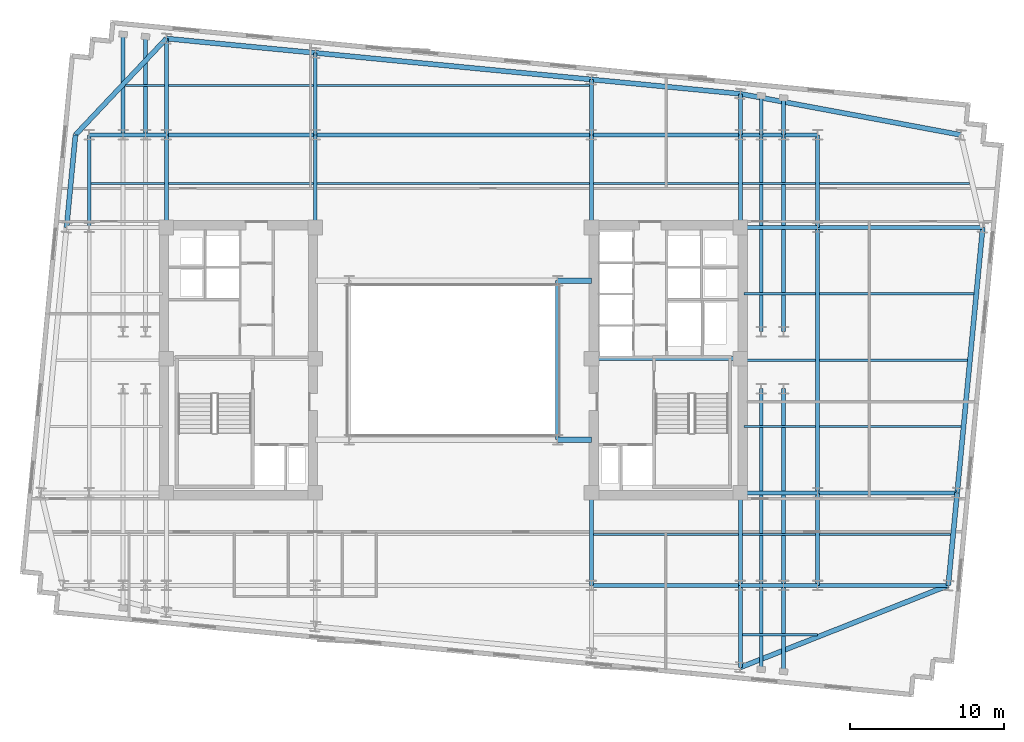
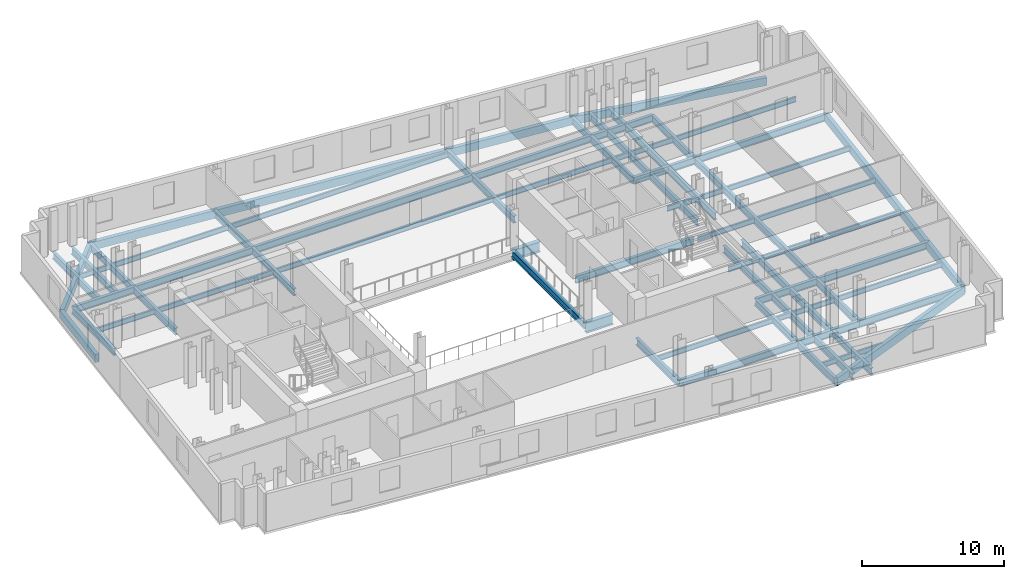
# One storey, part 2 of 9: 69 beams.
"""IFC4 building model written with IfcOpenShell, lengths in metres."""

import ifcopenshell
import ifcopenshell.guid

model = None  # the IFC model being written
_history = None  # IfcOwnerHistory: only IFC2X3 demands one
_inside = {}  # id of a spatial element -> (the spatial element, [elements in it])
_under = {}  # id of a project, library or spatial element -> (it, [spatial elements below it])
_declared = {}  # id of a project -> (the project, [libraries it declares])
_typed = {}  # id of a type object -> (the type object, [elements of that type])
_made_of = {}  # id of a material, layer set ... -> (it, [elements and type objects made of it])


def new_model(schema):
    """Start an empty IFC model of exactly this schema.

    Asked for "IFC4X3", IfcOpenShell would pick the latest addendum, in which some entities
    have other attributes; the version numbers below select the first issue.
    IFC2X3 requires an IfcOwnerHistory on every rooted entity: one is made here for all.
    """
    global model, _history
    if schema == "IFC4X3":
        model = ifcopenshell.file(schema_version=(4, 3, 0, 0))
    else:
        model = ifcopenshell.file(schema=schema)
    _inside.clear()
    _under.clear()
    _declared.clear()
    _typed.clear()
    _made_of.clear()
    _history = None
    if model.schema == "IFC2X3":
        org = make("IfcOrganization", Name="unknown")
        user = make(
            "IfcPersonAndOrganization",
            ThePerson=make("IfcPerson", FamilyName="unknown"),
            TheOrganization=org,
        )
        app = make(
            "IfcApplication",
            ApplicationDeveloper=org,
            Version="unknown",
            ApplicationFullName="unknown",
            ApplicationIdentifier="unknown",
        )
        _history = make(
            "IfcOwnerHistory",
            OwningUser=user,
            OwningApplication=app,
            ChangeAction="ADDED",
            CreationDate=0,
        )
    return model


def make(cls, **values):
    """One entity of the class cls with the attributes given. An attribute that is None is left unset."""
    return model.create_entity(
        cls, **{name: value for name, value in values.items() if value is not None}
    )


def rooted(cls, **values):
    """An entity with a GlobalId (a new one), such as an element, a storey or a relation."""
    return make(cls, GlobalId=ifcopenshell.guid.new(), OwnerHistory=_history, **values)


def si_unit(unit_type, name, prefix=None):
    """IfcSIUnit, for example si_unit("LENGTHUNIT", "METRE", prefix="MILLI")."""
    return make("IfcSIUnit", UnitType=unit_type, Prefix=prefix, Name=name)


def assignment(units):
    """IfcUnitAssignment: the units of a project."""
    return None if units is None else make("IfcUnitAssignment", Units=units)


def point(xyz):
    """IfcCartesianPoint."""
    return None if xyz is None else make("IfcCartesianPoint", Coordinates=xyz)


def direction(xyz):
    """IfcDirection."""
    return None if xyz is None else make("IfcDirection", DirectionRatios=xyz)


def frame(location, z_axis=None, x_axis=None):
    """IfcAxis2Placement3D, a coordinate frame: its origin and axes. An axis left out is left unset."""
    return make(
        "IfcAxis2Placement3D",
        Location=point(location),
        Axis=direction(z_axis),
        RefDirection=direction(x_axis),
    )


def frame_2d(location, x_axis=None):
    """IfcAxis2Placement2D, a coordinate frame in the plane: its origin and x axis."""
    return make(
        "IfcAxis2Placement2D", Location=point(location), RefDirection=direction(x_axis)
    )


def origin():
    """The frame at (0, 0, 0) with its axes left unset."""
    return frame((0.0, 0.0, 0.0))


def origin_2d():
    """The frame at (0, 0) in the plane with its x axis left unset."""
    return frame_2d((0.0, 0.0))


def place(relative_to, where):
    """IfcLocalPlacement: puts the frame where relative to a parent placement (None: the world)."""
    return make(
        "IfcLocalPlacement", PlacementRelTo=relative_to, RelativePlacement=where
    )


def context(
    kind, dimensions, precision=None, world=None, true_north=None, identifier=None
):
    """IfcGeometricRepresentationContext, for example the 3D "Model" context."""
    return make(
        "IfcGeometricRepresentationContext",
        ContextIdentifier=identifier,
        ContextType=kind,
        CoordinateSpaceDimension=dimensions,
        Precision=precision,
        WorldCoordinateSystem=world,
        TrueNorth=true_north,
    )


def subcontext(parent, identifier, kind, view, scale=None):
    """IfcGeometricRepresentationSubContext, for example "Body" below "Model"."""
    return make(
        "IfcGeometricRepresentationSubContext",
        ContextIdentifier=identifier,
        ContextType=kind,
        ParentContext=parent,
        TargetScale=scale,
        TargetView=view,
    )


def project(units=None, contexts=None):
    """IfcProject with its units and contexts."""
    return rooted(
        "IfcProject",
        Name="project",
        RepresentationContexts=contexts,
        UnitsInContext=assignment(units),
    )


def spatial(cls, under=None, at=None, **own):
    """A site, building, storey or space (cls), placed at a placement, below another one or the project."""
    s = rooted(cls, ObjectPlacement=at, **own)
    if under is not None:
        _under.setdefault(under.id(), (under, []))[1].append(s)
    return s


def profile(cls, at=None, kind="AREA", **sizes):
    """A parametric profile (cls). Its sizes go by their IFC names, for example OverallWidth=200.0."""
    return make(cls, ProfileType=kind, Position=at, **sizes)


def rectangle(**sizes):
    """IfcRectangleProfileDef."""
    return profile("IfcRectangleProfileDef", **sizes)


def i_section(**sizes):
    """IfcIShapeProfileDef."""
    return profile("IfcIShapeProfileDef", **sizes)


def extrude(swept, where, along, depth):
    """IfcExtrudedAreaSolid: the profile swept, set in the frame where, extruded along a direction by depth."""
    return make(
        "IfcExtrudedAreaSolid",
        SweptArea=swept,
        Position=where,
        ExtrudedDirection=direction(along),
        Depth=depth,
    )


def shape(context_of_items, identifier, shape_type, items):
    """IfcShapeRepresentation: the items that make up one representation, for example the "Body"."""
    return make(
        "IfcShapeRepresentation",
        ContextOfItems=context_of_items,
        RepresentationIdentifier=identifier,
        RepresentationType=shape_type,
        Items=items,
    )


def material(Name=None, Category=None):
    """IfcMaterial."""
    return make("IfcMaterial", Name=Name, Category=Category)


def material_profile(
    of_material, cross_section, Name=None, Category=None, Priority=None
):
    """IfcMaterialProfile: a cross section and its material."""
    return make(
        "IfcMaterialProfile",
        Name=Name,
        Material=of_material,
        Profile=cross_section,
        Priority=Priority,
        Category=Category,
    )


def profile_set(profiles, Name=None, composite=None):
    """IfcMaterialProfileSet."""
    return make(
        "IfcMaterialProfileSet",
        Name=Name,
        MaterialProfiles=profiles,
        CompositeProfile=composite,
    )


def made_of(thing, what):
    """Note that an element or type object is made of a material, layer set ...; save() writes the relation."""
    if what is not None:
        _made_of.setdefault(what.id(), (what, []))[1].append(thing)
    return thing


def type_object(cls, material=None, **own):
    """A type object (cls), such as IfcWallType, which elements share."""
    return made_of(rooted(cls, **own), material)


def element(
    cls,
    number,
    at=None,
    inside=None,
    cuts=None,
    type_object=None,
    material=None,
    context=None,
    identifier="Body",
    shape_type=None,
    held_by="IfcProductDefinitionShape",
    body=None,
    shapes=None,
    **own,
):
    """One element of the class cls, such as IfcWall. Its Tag is "e" and its number.

    at: its placement. inside: the storey or other place that contains it. cuts: it is an
    opening in that element (IfcRelVoidsElement). A single representation is given by context,
    identifier, shape_type and body (its items); several are given by shapes. held_by: the class
    of the entity that holds the representations. save() writes the other relations.
    """
    e = rooted(cls, Tag="e%d" % number, ObjectPlacement=at, **own)
    if body is not None:
        shapes = [shape(context, identifier, shape_type, body)]
    if shapes is not None:
        e.Representation = make(held_by, Representations=shapes)
    if inside is not None:
        _inside.setdefault(inside.id(), (inside, []))[1].append(e)
    if cuts is not None:
        rooted(
            "IfcRelVoidsElement", RelatingBuildingElement=cuts, RelatedOpeningElement=e
        )
    if type_object is not None:
        _typed.setdefault(type_object.id(), (type_object, []))[1].append(e)
    return made_of(e, material)


def aggregate(whole, parts):
    """IfcRelAggregates: a whole, such as a stair, and the parts it consists of."""
    return rooted("IfcRelAggregates", RelatingObject=whole, RelatedObjects=parts)


def save(model, path):
    """Write the relations noted so far, then the file.

    IfcRelAggregates (storeys below a building ...), IfcRelContainedInSpatialStructure (elements
    in a storey), IfcRelDefinesByType, IfcRelAssociatesMaterial and IfcRelDeclares: one each for
    every whole, place, type object, material and project.
    """
    for whole, parts in _under.values():
        aggregate(whole, parts)
    for where, things in _inside.values():
        rooted(
            "IfcRelContainedInSpatialStructure",
            RelatedElements=things,
            RelatingStructure=where,
        )
    for kind, things in _typed.values():
        rooted("IfcRelDefinesByType", RelatedObjects=things, RelatingType=kind)
    for what, things in _made_of.values():
        rooted("IfcRelAssociatesMaterial", RelatedObjects=things, RelatingMaterial=what)
    for by, libraries in _declared.values():
        rooted("IfcRelDeclares", RelatingContext=by, RelatedDefinitions=libraries)
    model.write(path)


model = new_model("IFC4")

# Units and contexts
model_context = context("Model", 3, precision=1e-05, world=origin(), true_north=direction((0.0, 1.0)))
body_context = subcontext(model_context, "Body", "Model", "MODEL_VIEW")
ifc_project = project(units=[si_unit("LENGTHUNIT", "METRE"), si_unit("AREAUNIT", "SQUARE_METRE"), si_unit("VOLUMEUNIT", "CUBIC_METRE"), si_unit("PLANEANGLEUNIT", "RADIAN"), si_unit("MASSUNIT", "GRAM", prefix="KILO")], contexts=[model_context])

# Site, building, storey
site_placement = place(None, origin())
site = spatial("IfcSite", under=ifc_project, at=site_placement, CompositionType="ELEMENT")
building_placement = place(site_placement, origin())
building = spatial("IfcBuilding", under=site, at=building_placement, Name="Velakula Bourse", CompositionType="ELEMENT")
storey_placement = place(building_placement, frame((0.0, 0.0, 163.85009765625)))
storey = spatial("IfcBuildingStorey", under=building, at=storey_placement, Name="L44", CompositionType="ELEMENT", Elevation=163.85009765625)

# Beams
ifc_material_1 = material(Name="Steel IS 2062 Grade 350 (E350)", Category="steel")
ifc_material_profile_1 = material_profile(ifc_material_1, i_section(OverallWidth=0.25, OverallDepth=0.60009765625, WebThickness=0.01123046875, FlangeThickness=0.021240234375, at=origin_2d()), Name="Steel IS 2062 Grade 350 (E350)")
ifc_profile_set_1 = profile_set([ifc_material_profile_1], Name="Steel IS 2062 Grade 350 (E350)")
beam_type_1 = type_object("IfcBeamType", Name="BM-GRD-600M", PredefinedType="BEAM", material=ifc_profile_set_1)
beam_1_placement = place(storey_placement, frame((8.949951171875, 0.10009765625, -0.47998046875), z_axis=(1.0, 0.0, 0.0), x_axis=(0.0, 1.0, 0.0)))
element("IfcBeam", 1, at=beam_1_placement, inside=storey, type_object=beam_type_1, Name="L44 Primary Backbone Girder CRE-M", PredefinedType="BEAM", context=body_context, shape_type="SweptSolid", body=[
    extrude(i_section(OverallWidth=0.25, OverallDepth=0.60009765625, WebThickness=0.01123046875, FlangeThickness=0.021240234375, at=origin_2d()), origin(), (0.0, 0.0, 1.0), 9.650146484375),
])
beam_2_placement = place(storey_placement, frame((6.75, -5.14990234375, -0.47998046875), z_axis=(0.0, 1.0, 0.0), x_axis=(-1.0, 0.0, 0.0)))
element("IfcBeam", 2, at=beam_2_placement, inside=storey, type_object=beam_type_1, Name="L44 Primary Backbone Girder SPN-E", PredefinedType="BEAM", context=body_context, shape_type="SweptSolid", body=[
    extrude(i_section(OverallWidth=0.25, OverallDepth=0.60009765625, WebThickness=0.01123046875, FlangeThickness=0.021240234375, at=origin_2d()), origin(), (0.0, 0.0, 1.0), 10.2998046875),
])
for number, where, z_axis, x_axis, name in (
    (3, (-18.60009765625, 8.60009765625, -0.47998046875), (0.0, 1.0, 0.0), (-1.0, 0.0, 0.0), "L44 Fulcrum Grid Girder FLC-WN"),
    (4, (-8.949951171875, 8.60009765625, -0.47998046875), (0.0, 1.0, 0.0), (-1.0, 0.0, 0.0), "L44 Fulcrum Grid Girder FLC-WCN"),
    (5, (8.949951171875, -14.60009765625, -0.47998046875), (0.0, 1.0, 0.0), (-1.0, 0.0, 0.0), "L44 Fulcrum Grid Girder FLC-ECS"),
    (6, (8.949951171875, 8.60009765625, -0.47998046875), (0.0, 1.0, 0.0), (-1.0, 0.0, 0.0), "L44 Fulcrum Grid Girder FLC-ECN"),
    (7, (18.60009765625, -14.60009765625, -0.47998046875), (0.0, 1.0, 0.0), (-1.0, 0.0, 0.0), "L44 Fulcrum Grid Girder FLC-ES"),
    (8, (18.60009765625, 8.60009765625, -0.47998046875), (0.0, 1.0, 0.0), (-1.0, 0.0, 0.0), "L44 Fulcrum Grid Girder FLC-EN"),
):
    element("IfcBeam", number, at=place(storey_placement, frame(where, z_axis=z_axis, x_axis=x_axis)), inside=storey, type_object=beam_type_1, Name=name, PredefinedType="BEAM", context=body_context, shape_type="SweptSolid", body=[
        extrude(i_section(OverallWidth=0.25, OverallDepth=0.60009765625, WebThickness=0.01123046875, FlangeThickness=0.021240234375, at=origin_2d()), origin(), (0.0, 0.0, 1.0), 6.0),
    ])
for number, where, z_axis, x_axis, name in (
    (9, (8.949951171875, -14.60009765625, -0.47998046875), (1.0, 0.0, 0.0), (0.0, 1.0, 0.0), "L44 Fulcrum Grid Girder FLC-S3"),
    (10, (-18.60009765625, 14.60009765625, -0.47998046875), (1.0, 0.0, 0.0), (0.0, 1.0, 0.0), "L44 Fulcrum Grid Girder FLC-N1"),
):
    element("IfcBeam", number, at=place(storey_placement, frame(where, z_axis=z_axis, x_axis=x_axis)), inside=storey, type_object=beam_type_1, Name=name, PredefinedType="BEAM", context=body_context, shape_type="SweptSolid", body=[
        extrude(i_section(OverallWidth=0.25, OverallDepth=0.60009765625, WebThickness=0.01123046875, FlangeThickness=0.021240234375, at=origin_2d()), origin(), (0.0, 0.0, 1.0), 9.650146484375),
    ])
beam_3_placement = place(storey_placement, frame((-8.949951171875, 14.60009765625, -0.47998046875), z_axis=(1.0, 0.0, 0.0), x_axis=(0.0, 1.0, 0.0)))
element("IfcBeam", 11, at=beam_3_placement, inside=storey, type_object=beam_type_1, Name="L44 Fulcrum Grid Girder FLC-N2", PredefinedType="BEAM", context=body_context, shape_type="SweptSolid", body=[
    extrude(i_section(OverallWidth=0.25, OverallDepth=0.60009765625, WebThickness=0.01123046875, FlangeThickness=0.021240234375, at=origin_2d()), origin(), (0.0, 0.0, 1.0), 17.89990234375),
])
beam_4_placement = place(storey_placement, frame((8.949951171875, 14.60009765625, -0.47998046875), z_axis=(1.0, 0.0, 0.0), x_axis=(0.0, 1.0, 0.0)))
element("IfcBeam", 12, at=beam_4_placement, inside=storey, type_object=beam_type_1, Name="L44 Fulcrum Grid Girder FLC-N3", PredefinedType="BEAM", context=body_context, shape_type="SweptSolid", body=[
    extrude(i_section(OverallWidth=0.25, OverallDepth=0.60009765625, WebThickness=0.01123046875, FlangeThickness=0.021240234375, at=origin_2d()), origin(), (0.0, 0.0, 1.0), 9.650146484375),
])
for number, where, z_axis, x_axis, name in (
    (13, (19.949951171875, -14.60009765625, -0.47998046875), (0.0, 1.0, 0.0), (-1.0, 0.0, 0.0), "L44 Fulcrum Grid Girder FLC-PSE1"),
    (14, (19.949951171875, 1.85009765625, -0.47998046875), (0.0, 1.0, 0.0), (-1.0, 0.0, 0.0), "L44 Fulcrum Grid Girder FLC-PNE1"),
    (15, (21.39990234375, -14.60009765625, -0.47998046875), (0.0, 1.0, 0.0), (-1.0, 0.0, 0.0), "L44 Fulcrum Grid Girder FLC-PSE2"),
    (16, (21.39990234375, 1.85009765625, -0.47998046875), (0.0, 1.0, 0.0), (-1.0, 0.0, 0.0), "L44 Fulcrum Grid Girder FLC-PNE2"),
):
    element("IfcBeam", number, at=place(storey_placement, frame(where, z_axis=z_axis, x_axis=x_axis)), inside=storey, type_object=beam_type_1, Name=name, PredefinedType="BEAM", context=body_context, shape_type="SweptSolid", body=[
        extrude(i_section(OverallWidth=0.25, OverallDepth=0.60009765625, WebThickness=0.01123046875, FlangeThickness=0.021240234375, at=origin_2d()), origin(), (0.0, 0.0, 1.0), 12.75),
    ])
beam_5_placement = place(storey_placement, frame((-23.60009765625, 14.60009765625, -0.47998046875), z_axis=(1.0, 0.0, 0.0), x_axis=(0.0, 1.0, 0.0)))
element("IfcBeam", 17, at=beam_5_placement, inside=storey, type_object=beam_type_1, Name="L44 Fulcrum Grid Girder MWG-WN2", PredefinedType="BEAM", context=body_context, shape_type="SweptSolid", body=[
    extrude(i_section(OverallWidth=0.25, OverallDepth=0.60009765625, WebThickness=0.01123046875, FlangeThickness=0.021240234375, at=origin_2d()), origin(), (0.0, 0.0, 1.0), 5.0),
])
beam_6_placement = place(storey_placement, frame((-23.60009765625, 8.60009765625, -0.47998046875), z_axis=(0.0, 1.0, 0.0), x_axis=(-1.0, 0.0, 0.0)))
element("IfcBeam", 18, at=beam_6_placement, inside=storey, type_object=beam_type_1, Name="L44 Fulcrum Grid Girder MWG-WNS3", PredefinedType="BEAM", context=body_context, shape_type="SweptSolid", body=[
    extrude(i_section(OverallWidth=0.25, OverallDepth=0.60009765625, WebThickness=0.01123046875, FlangeThickness=0.021240234375, at=origin_2d()), origin(), (0.0, 0.0, 1.0), 6.0),
])
for number, where, z_axis, x_axis, name in (
    (19, (18.60009765625, -14.60009765625, -0.47998046875), (1.0, 0.0, 0.0), (0.0, 1.0, 0.0), "L44 Fulcrum Grid Girder MWG-ES1"),
    (20, (18.60009765625, -8.60009765625, -0.47998046875), (1.0, 0.0, 0.0), (0.0, 1.0, 0.0), "L44 Fulcrum Grid Girder MWG-ES2"),
    (21, (18.60009765625, 8.60009765625, -0.47998046875), (1.0, 0.0, 0.0), (0.0, 1.0, 0.0), "L44 Fulcrum Grid Girder MWG-EN1"),
    (22, (18.60009765625, 14.60009765625, -0.47998046875), (1.0, 0.0, 0.0), (0.0, 1.0, 0.0), "L44 Fulcrum Grid Girder MWG-EN2"),
):
    element("IfcBeam", number, at=place(storey_placement, frame(where, z_axis=z_axis, x_axis=x_axis)), inside=storey, type_object=beam_type_1, Name=name, PredefinedType="BEAM", context=body_context, shape_type="SweptSolid", body=[
        extrude(i_section(OverallWidth=0.25, OverallDepth=0.60009765625, WebThickness=0.01123046875, FlangeThickness=0.021240234375, at=origin_2d()), origin(), (0.0, 0.0, 1.0), 5.0),
    ])
beam_7_placement = place(storey_placement, frame((23.60009765625, -14.60009765625, -0.47998046875), z_axis=(0.0, 1.0, 0.0), x_axis=(-1.0, 0.0, 0.0)))
element("IfcBeam", 23, at=beam_7_placement, inside=storey, type_object=beam_type_1, Name="L44 Fulcrum Grid Girder MWG-ENS1", PredefinedType="BEAM", context=body_context, shape_type="SweptSolid", body=[
    extrude(i_section(OverallWidth=0.25, OverallDepth=0.60009765625, WebThickness=0.01123046875, FlangeThickness=0.021240234375, at=origin_2d()), origin(), (0.0, 0.0, 1.0), 6.0),
])
beam_8_placement = place(storey_placement, frame((23.60009765625, -8.60009765625, -0.47998046875), z_axis=(0.0, 1.0, 0.0), x_axis=(-1.0, 0.0, 0.0)))
element("IfcBeam", 24, at=beam_8_placement, inside=storey, type_object=beam_type_1, Name="L44 Fulcrum Grid Girder MWG-ENS2", PredefinedType="BEAM", context=body_context, shape_type="SweptSolid", body=[
    extrude(i_section(OverallWidth=0.25, OverallDepth=0.60009765625, WebThickness=0.01123046875, FlangeThickness=0.021240234375, at=origin_2d()), origin(), (0.0, 0.0, 1.0), 17.2001953125),
])
beam_9_placement = place(storey_placement, frame((23.60009765625, 8.60009765625, -0.47998046875), z_axis=(0.0, 1.0, 0.0), x_axis=(-1.0, 0.0, 0.0)))
element("IfcBeam", 25, at=beam_9_placement, inside=storey, type_object=beam_type_1, Name="L44 Fulcrum Grid Girder MWG-ENS3", PredefinedType="BEAM", context=body_context, shape_type="SweptSolid", body=[
    extrude(i_section(OverallWidth=0.25, OverallDepth=0.60009765625, WebThickness=0.01123046875, FlangeThickness=0.021240234375, at=origin_2d()), origin(), (0.0, 0.0, 1.0), 6.0),
])
beam_10_placement = place(storey_placement, frame((18.60009765625, -14.60009765625, -0.47998046875), z_axis=(0.0, -1.0, 0.0), x_axis=(1.0, 0.0, 0.0)))
element("IfcBeam", 26, at=beam_10_placement, inside=storey, type_object=beam_type_1, Name="L44 Perimeter Tie Girder S4", PredefinedType="BEAM", context=body_context, shape_type="SweptSolid", body=[
    extrude(i_section(OverallWidth=0.25, OverallDepth=0.60009765625, WebThickness=0.01123046875, FlangeThickness=0.021240234375, at=origin_2d()), origin(), (0.0, 0.0, 1.0), 5.310546875),
])
beam_11_placement = place(storey_placement, frame((-18.60009765625, 14.60009765625, -0.47998046875), z_axis=(0.0, 1.0, 0.0), x_axis=(-1.0, 0.0, 0.0)))
element("IfcBeam", 27, at=beam_11_placement, inside=storey, type_object=beam_type_1, Name="L44 Perimeter Tie Girder N1", PredefinedType="BEAM", context=body_context, shape_type="SweptSolid", body=[
    extrude(i_section(OverallWidth=0.25, OverallDepth=0.60009765625, WebThickness=0.01123046875, FlangeThickness=0.021240234375, at=origin_2d()), origin(), (0.0, 0.0, 1.0), 6.2421875),
])
beam_12_placement = place(storey_placement, frame((-8.949951171875, 14.60009765625, -0.47998046875), z_axis=(0.0, 1.0, 0.0), x_axis=(-1.0, 0.0, 0.0)))
element("IfcBeam", 28, at=beam_12_placement, inside=storey, type_object=beam_type_1, Name="L44 Perimeter Tie Girder N2", PredefinedType="BEAM", context=body_context, shape_type="SweptSolid", body=[
    extrude(i_section(OverallWidth=0.25, OverallDepth=0.60009765625, WebThickness=0.01123046875, FlangeThickness=0.021240234375, at=origin_2d()), origin(), (0.0, 0.0, 1.0), 5.31298828125),
])
beam_13_placement = place(storey_placement, frame((8.949951171875, 14.60009765625, -0.47998046875), z_axis=(0.0, 1.0, 0.0), x_axis=(-1.0, 0.0, 0.0)))
element("IfcBeam", 29, at=beam_13_placement, inside=storey, type_object=beam_type_1, Name="L44 Perimeter Tie Girder N3", PredefinedType="BEAM", context=body_context, shape_type="SweptSolid", body=[
    extrude(i_section(OverallWidth=0.25, OverallDepth=0.60009765625, WebThickness=0.01123046875, FlangeThickness=0.021240234375, at=origin_2d()), origin(), (0.0, 0.0, 1.0), 3.589599609375),
])
beam_14_placement = place(storey_placement, frame((18.60009765625, 14.60009765625, -0.47998046875), z_axis=(0.0, 1.0, 0.0), x_axis=(-1.0, 0.0, 0.0)))
element("IfcBeam", 30, at=beam_14_placement, inside=storey, type_object=beam_type_1, Name="L44 Perimeter Tie Girder N4", PredefinedType="BEAM", context=body_context, shape_type="SweptSolid", body=[
    extrude(i_section(OverallWidth=0.25, OverallDepth=0.60009765625, WebThickness=0.01123046875, FlangeThickness=0.021240234375, at=origin_2d()), origin(), (0.0, 0.0, 1.0), 2.660400390625),
])
beam_15_placement = place(storey_placement, frame((23.60009765625, -14.60009765625, -0.47998046875), z_axis=(1.0, 0.0, 0.0), x_axis=(0.0, 1.0, 0.0)))
element("IfcBeam", 31, at=beam_15_placement, inside=storey, type_object=beam_type_1, Name="L44 Perimeter Tie Girder E1", PredefinedType="BEAM", context=body_context, shape_type="SweptSolid", body=[
    extrude(i_section(OverallWidth=0.25, OverallDepth=0.60009765625, WebThickness=0.01123046875, FlangeThickness=0.021240234375, at=origin_2d()), origin(), (0.0, 0.0, 1.0), 8.47119140625),
])
beam_16_placement = place(storey_placement, frame((23.60009765625, -8.60009765625, -0.47998046875), z_axis=(1.0, 0.0, 0.0), x_axis=(0.0, 1.0, 0.0)))
element("IfcBeam", 32, at=beam_16_placement, inside=storey, type_object=beam_type_1, Name="L44 Perimeter Tie Girder E2", PredefinedType="BEAM", context=body_context, shape_type="SweptSolid", body=[
    extrude(i_section(OverallWidth=0.25, OverallDepth=0.60009765625, WebThickness=0.01123046875, FlangeThickness=0.021240234375, at=origin_2d()), origin(), (0.0, 0.0, 1.0), 9.048828125),
])
beam_17_placement = place(storey_placement, frame((23.60009765625, 8.60009765625, -0.47998046875), z_axis=(1.0, 0.0, 0.0), x_axis=(0.0, 1.0, 0.0)))
element("IfcBeam", 33, at=beam_17_placement, inside=storey, type_object=beam_type_1, Name="L44 Perimeter Tie Girder E3", PredefinedType="BEAM", context=body_context, shape_type="SweptSolid", body=[
    extrude(i_section(OverallWidth=0.25, OverallDepth=0.60009765625, WebThickness=0.01123046875, FlangeThickness=0.021240234375, at=origin_2d()), origin(), (0.0, 0.0, 1.0), 10.705078125),
])
beam_18_placement = place(storey_placement, frame((19.949951171875, -14.60009765625, -0.47998046875), z_axis=(0.0, -1.0, 0.0), x_axis=(1.0, 0.0, 0.0)))
element("IfcBeam", 34, at=beam_18_placement, inside=storey, type_object=beam_type_1, Name="L44 Perimeter Tie Girder P03", PredefinedType="BEAM", context=body_context, shape_type="SweptSolid", body=[
    extrude(i_section(OverallWidth=0.25, OverallDepth=0.60009765625, WebThickness=0.01123046875, FlangeThickness=0.021240234375, at=origin_2d()), origin(), (0.0, 0.0, 1.0), 5.4404296875),
])
beam_19_placement = place(storey_placement, frame((21.39990234375, -14.60009765625, -0.47998046875), z_axis=(0.0, -1.0, 0.0), x_axis=(1.0, 0.0, 0.0)))
element("IfcBeam", 35, at=beam_19_placement, inside=storey, type_object=beam_type_1, Name="L44 Perimeter Tie Girder P04", PredefinedType="BEAM", context=body_context, shape_type="SweptSolid", body=[
    extrude(i_section(OverallWidth=0.25, OverallDepth=0.60009765625, WebThickness=0.01123046875, FlangeThickness=0.021240234375, at=origin_2d()), origin(), (0.0, 0.0, 1.0), 5.580322265625),
])
beam_20_placement = place(storey_placement, frame((-21.39990234375, 14.60009765625, -0.47998046875), z_axis=(0.0, 1.0, 0.0), x_axis=(-1.0, 0.0, 0.0)))
element("IfcBeam", 36, at=beam_20_placement, inside=storey, type_object=beam_type_1, Name="L44 Perimeter Tie Girder P05", PredefinedType="BEAM", context=body_context, shape_type="SweptSolid", body=[
    extrude(i_section(OverallWidth=0.25, OverallDepth=0.60009765625, WebThickness=0.01123046875, FlangeThickness=0.021240234375, at=origin_2d()), origin(), (0.0, 0.0, 1.0), 6.511962890625),
])
beam_21_placement = place(storey_placement, frame((-19.949951171875, 14.60009765625, -0.47998046875), z_axis=(0.0, 1.0, 0.0), x_axis=(-1.0, 0.0, 0.0)))
element("IfcBeam", 37, at=beam_21_placement, inside=storey, type_object=beam_type_1, Name="L44 Perimeter Tie Girder P06", PredefinedType="BEAM", context=body_context, shape_type="SweptSolid", body=[
    extrude(i_section(OverallWidth=0.25, OverallDepth=0.60009765625, WebThickness=0.01123046875, FlangeThickness=0.021240234375, at=origin_2d()), origin(), (0.0, 0.0, 1.0), 6.372314453125),
])
beam_22_placement = place(storey_placement, frame((19.949951171875, 14.60009765625, -0.47998046875), z_axis=(0.0, 1.0, 0.0), x_axis=(-1.0, 0.0, 0.0)))
element("IfcBeam", 38, at=beam_22_placement, inside=storey, type_object=beam_type_1, Name="L44 Perimeter Tie Girder P07", PredefinedType="BEAM", context=body_context, shape_type="SweptSolid", body=[
    extrude(i_section(OverallWidth=0.25, OverallDepth=0.60009765625, WebThickness=0.01123046875, FlangeThickness=0.021240234375, at=origin_2d()), origin(), (0.0, 0.0, 1.0), 2.530517578125),
])
beam_23_placement = place(storey_placement, frame((21.39990234375, 14.60009765625, -0.47998046875), z_axis=(0.0, 1.0, 0.0), x_axis=(-1.0, 0.0, 0.0)))
element("IfcBeam", 39, at=beam_23_placement, inside=storey, type_object=beam_type_1, Name="L44 Perimeter Tie Girder P08", PredefinedType="BEAM", context=body_context, shape_type="SweptSolid", body=[
    extrude(i_section(OverallWidth=0.25, OverallDepth=0.60009765625, WebThickness=0.01123046875, FlangeThickness=0.021240234375, at=origin_2d()), origin(), (0.0, 0.0, 1.0), 2.390869140625),
])
ifc_material_profile_2 = material_profile(ifc_material_1, i_section(OverallWidth=0.35009765625, OverallDepth=0.89990234375, WebThickness=0.02001953125, FlangeThickness=0.031982421875, at=origin_2d()), Name="Steel IS 2062 Grade 350 (E350)")
ifc_profile_set_2 = profile_set([ifc_material_profile_2], Name="Steel IS 2062 Grade 350 (E350)")
beam_type_2 = type_object("IfcBeamType", Name="BM-LNK-900", PredefinedType="BEAM", material=ifc_profile_set_2)
for number, where, z_axis, x_axis, name in (
    (40, (6.75, -5.14990234375, -0.630126953125), (1.0, 0.0, 0.0), (0.0, 1.0, 0.0), "L44 Primary Backbone Girder LNK-S3"),
    (41, (6.75, 5.14990234375, -0.630126953125), (1.0, 0.0, 0.0), (0.0, 1.0, 0.0), "L44 Primary Backbone Girder LNK-N3"),
):
    element("IfcBeam", number, at=place(storey_placement, frame(where, z_axis=z_axis, x_axis=x_axis)), inside=storey, type_object=beam_type_2, Name=name, PredefinedType="BEAM", context=body_context, shape_type="SweptSolid", body=[
        extrude(i_section(OverallWidth=0.35009765625, OverallDepth=0.89990234375, WebThickness=0.02001953125, FlangeThickness=0.031982421875, at=origin_2d()), origin(), (0.0, 0.0, 1.0), 2.199951171875),
    ])
ifc_material_profile_3 = material_profile(ifc_material_1, i_section(OverallWidth=0.14990234375, OverallDepth=0.449951171875, WebThickness=0.009521484375, FlangeThickness=0.017333984375, at=origin_2d()), Name="Steel IS 2062 Grade 350 (E350)")
ifc_profile_set_3 = profile_set([ifc_material_profile_3], Name="Steel IS 2062 Grade 350 (E350)")
beam_type_3 = type_object("IfcBeamType", Name="JST-TWR-450", PredefinedType="JOIST", material=ifc_profile_set_3)
beam_24_placement = place(storey_placement, frame((18.72509765625, -17.800048828125, -0.405029296875), z_axis=(1.0, 0.0, 0.0), x_axis=(0.0, 1.0, 0.0)))
element("IfcBeam", 42, at=beam_24_placement, inside=storey, type_object=beam_type_3, Name="L44 Trading Floor Composite Joist 03", PredefinedType="JOIST", context=body_context, shape_type="SweptSolid", body=[
    extrude(i_section(OverallWidth=0.14990234375, OverallDepth=0.449951171875, WebThickness=0.009521484375, FlangeThickness=0.017333984375, at=origin_2d()), origin(), (0.0, 0.0, 1.0), 4.875),
])
beam_25_placement = place(storey_placement, frame((9.074951171875, -11.300048828125, -0.405029296875), z_axis=(1.0, 0.0, 0.0), x_axis=(0.0, 1.0, 0.0)))
element("IfcBeam", 43, at=beam_25_placement, inside=storey, type_object=beam_type_3, Name="L44 Trading Floor Composite Joist 08", PredefinedType="JOIST", context=body_context, shape_type="SweptSolid", body=[
    extrude(i_section(OverallWidth=0.14990234375, OverallDepth=0.449951171875, WebThickness=0.009521484375, FlangeThickness=0.017333984375, at=origin_2d()), origin(), (0.0, 0.0, 1.0), 9.400146484375),
])
beam_26_placement = place(storey_placement, frame((18.72509765625, -11.300048828125, -0.405029296875), z_axis=(1.0, 0.0, 0.0), x_axis=(0.0, 1.0, 0.0)))
element("IfcBeam", 44, at=beam_26_placement, inside=storey, type_object=beam_type_3, Name="L44 Trading Floor Composite Joist 09", PredefinedType="JOIST", context=body_context, shape_type="SweptSolid", body=[
    extrude(i_section(OverallWidth=0.14990234375, OverallDepth=0.449951171875, WebThickness=0.009521484375, FlangeThickness=0.017333984375, at=origin_2d()), origin(), (0.0, 0.0, 1.0), 4.75),
])
beam_27_placement = place(storey_placement, frame((23.72509765625, -11.300048828125, -0.405029296875), z_axis=(1.0, 0.0, 0.0), x_axis=(0.0, 1.0, 0.0)))
element("IfcBeam", 45, at=beam_27_placement, inside=storey, type_object=beam_type_3, Name="L44 Trading Floor Composite Joist 10", PredefinedType="JOIST", context=body_context, shape_type="SweptSolid", body=[
    extrude(i_section(OverallWidth=0.14990234375, OverallDepth=0.449951171875, WebThickness=0.009521484375, FlangeThickness=0.017333984375, at=origin_2d()), origin(), (0.0, 0.0, 1.0), 8.503173828125),
])
beam_28_placement = place(storey_placement, frame((-23.47509765625, 11.449951171875, -0.405029296875), z_axis=(1.0, 0.0, 0.0), x_axis=(0.0, 1.0, 0.0)))
element("IfcBeam", 46, at=beam_28_placement, inside=storey, type_object=beam_type_3, Name="L44 Trading Floor Composite Joist 11", PredefinedType="JOIST", context=body_context, shape_type="SweptSolid", body=[
    extrude(i_section(OverallWidth=0.14990234375, OverallDepth=0.449951171875, WebThickness=0.009521484375, FlangeThickness=0.017333984375, at=origin_2d()), origin(), (0.0, 0.0, 1.0), 4.75),
])
beam_29_placement = place(storey_placement, frame((-18.47509765625, 11.449951171875, -0.405029296875), z_axis=(1.0, 0.0, 0.0), x_axis=(0.0, 1.0, 0.0)))
element("IfcBeam", 47, at=beam_29_placement, inside=storey, type_object=beam_type_3, Name="L44 Trading Floor Composite Joist 12", PredefinedType="JOIST", context=body_context, shape_type="SweptSolid", body=[
    extrude(i_section(OverallWidth=0.14990234375, OverallDepth=0.449951171875, WebThickness=0.009521484375, FlangeThickness=0.017333984375, at=origin_2d()), origin(), (0.0, 0.0, 1.0), 9.400146484375),
])
beam_30_placement = place(storey_placement, frame((-8.824951171875, 11.449951171875, -0.405029296875), z_axis=(1.0, 0.0, 0.0), x_axis=(0.0, 1.0, 0.0)))
element("IfcBeam", 48, at=beam_30_placement, inside=storey, type_object=beam_type_3, Name="L44 Trading Floor Composite Joist 13", PredefinedType="JOIST", context=body_context, shape_type="SweptSolid", body=[
    extrude(i_section(OverallWidth=0.14990234375, OverallDepth=0.449951171875, WebThickness=0.009521484375, FlangeThickness=0.017333984375, at=origin_2d()), origin(), (0.0, 0.0, 1.0), 17.64990234375),
])
beam_31_placement = place(storey_placement, frame((9.074951171875, 11.449951171875, -0.405029296875), z_axis=(1.0, 0.0, 0.0), x_axis=(0.0, 1.0, 0.0)))
element("IfcBeam", 49, at=beam_31_placement, inside=storey, type_object=beam_type_3, Name="L44 Trading Floor Composite Joist 14", PredefinedType="JOIST", context=body_context, shape_type="SweptSolid", body=[
    extrude(i_section(OverallWidth=0.14990234375, OverallDepth=0.449951171875, WebThickness=0.009521484375, FlangeThickness=0.017333984375, at=origin_2d()), origin(), (0.0, 0.0, 1.0), 9.400146484375),
])
beam_32_placement = place(storey_placement, frame((18.72509765625, 11.449951171875, -0.405029296875), z_axis=(1.0, 0.0, 0.0), x_axis=(0.0, 1.0, 0.0)))
element("IfcBeam", 50, at=beam_32_placement, inside=storey, type_object=beam_type_3, Name="L44 Trading Floor Composite Joist 15", PredefinedType="JOIST", context=body_context, shape_type="SweptSolid", body=[
    extrude(i_section(OverallWidth=0.14990234375, OverallDepth=0.449951171875, WebThickness=0.009521484375, FlangeThickness=0.017333984375, at=origin_2d()), origin(), (0.0, 0.0, 1.0), 4.75),
])
beam_33_placement = place(storey_placement, frame((23.72509765625, 11.449951171875, -0.405029296875), z_axis=(1.0, 0.0, 0.0), x_axis=(0.0, 1.0, 0.0)))
element("IfcBeam", 51, at=beam_33_placement, inside=storey, type_object=beam_type_3, Name="L44 Trading Floor Composite Joist 16", PredefinedType="JOIST", context=body_context, shape_type="SweptSolid", body=[
    extrude(i_section(OverallWidth=0.14990234375, OverallDepth=0.449951171875, WebThickness=0.009521484375, FlangeThickness=0.017333984375, at=origin_2d()), origin(), (0.0, 0.0, 1.0), 9.735595703125),
])
beam_34_placement = place(storey_placement, frame((-21.2509765625, 17.800048828125, -0.405029296875), z_axis=(1.0, 0.0, 0.0), x_axis=(0.0, 1.0, 0.0)))
element("IfcBeam", 52, at=beam_34_placement, inside=storey, type_object=beam_type_3, Name="L44 Trading Floor Composite Joist 17", PredefinedType="JOIST", context=body_context, shape_type="SweptSolid", body=[
    extrude(i_section(OverallWidth=0.14990234375, OverallDepth=0.449951171875, WebThickness=0.009521484375, FlangeThickness=0.017333984375, at=origin_2d()), origin(), (0.0, 0.0, 1.0), 2.52587890625),
])
beam_35_placement = place(storey_placement, frame((-18.47509765625, 17.800048828125, -0.405029296875), z_axis=(1.0, 0.0, 0.0), x_axis=(0.0, 1.0, 0.0)))
element("IfcBeam", 53, at=beam_35_placement, inside=storey, type_object=beam_type_3, Name="L44 Trading Floor Composite Joist 18", PredefinedType="JOIST", context=body_context, shape_type="SweptSolid", body=[
    extrude(i_section(OverallWidth=0.14990234375, OverallDepth=0.449951171875, WebThickness=0.009521484375, FlangeThickness=0.017333984375, at=origin_2d()), origin(), (0.0, 0.0, 1.0), 9.400146484375),
])
beam_36_placement = place(storey_placement, frame((-8.824951171875, 17.800048828125, -0.405029296875), z_axis=(1.0, 0.0, 0.0), x_axis=(0.0, 1.0, 0.0)))
element("IfcBeam", 54, at=beam_36_placement, inside=storey, type_object=beam_type_3, Name="L44 Trading Floor Composite Joist 19", PredefinedType="JOIST", context=body_context, shape_type="SweptSolid", body=[
    extrude(i_section(OverallWidth=0.14990234375, OverallDepth=0.449951171875, WebThickness=0.009521484375, FlangeThickness=0.017333984375, at=origin_2d()), origin(), (0.0, 0.0, 1.0), 17.64990234375),
])
beam_37_placement = place(storey_placement, frame((18.85009765625, -4.300048828125, -0.405029296875), z_axis=(1.0, 0.0, 0.0), x_axis=(0.0, 1.0, 0.0)))
element("IfcBeam", 55, at=beam_37_placement, inside=storey, type_object=beam_type_3, Name="L44 Trading Floor Composite Joist 23", PredefinedType="JOIST", context=body_context, shape_type="SweptSolid", body=[
    extrude(i_section(OverallWidth=0.14990234375, OverallDepth=0.449951171875, WebThickness=0.009521484375, FlangeThickness=0.017333984375, at=origin_2d()), origin(), (0.0, 0.0, 1.0), 4.625),
])
beam_38_placement = place(storey_placement, frame((23.72509765625, -4.300048828125, -0.405029296875), z_axis=(1.0, 0.0, 0.0), x_axis=(0.0, 1.0, 0.0)))
element("IfcBeam", 56, at=beam_38_placement, inside=storey, type_object=beam_type_3, Name="L44 Trading Floor Composite Joist 24", PredefinedType="JOIST", context=body_context, shape_type="SweptSolid", body=[
    extrude(i_section(OverallWidth=0.14990234375, OverallDepth=0.449951171875, WebThickness=0.009521484375, FlangeThickness=0.017333984375, at=origin_2d()), origin(), (0.0, 0.0, 1.0), 9.17724609375),
])
beam_39_placement = place(storey_placement, frame((18.85009765625, 0.0, -0.405029296875), z_axis=(1.0, 0.0, 0.0), x_axis=(0.0, 1.0, 0.0)))
element("IfcBeam", 57, at=beam_39_placement, inside=storey, type_object=beam_type_3, Name="L44 Trading Floor Composite Joist 27", PredefinedType="JOIST", context=body_context, shape_type="SweptSolid", body=[
    extrude(i_section(OverallWidth=0.14990234375, OverallDepth=0.449951171875, WebThickness=0.009521484375, FlangeThickness=0.017333984375, at=origin_2d()), origin(), (0.0, 0.0, 1.0), 4.625),
])
beam_40_placement = place(storey_placement, frame((23.72509765625, 0.0, -0.405029296875), z_axis=(1.0, 0.0, 0.0), x_axis=(0.0, 1.0, 0.0)))
element("IfcBeam", 58, at=beam_40_placement, inside=storey, type_object=beam_type_3, Name="L44 Trading Floor Composite Joist 28", PredefinedType="JOIST", context=body_context, shape_type="SweptSolid", body=[
    extrude(i_section(OverallWidth=0.14990234375, OverallDepth=0.449951171875, WebThickness=0.009521484375, FlangeThickness=0.017333984375, at=origin_2d()), origin(), (0.0, 0.0, 1.0), 9.59130859375),
])
beam_41_placement = place(storey_placement, frame((18.85009765625, 4.300048828125, -0.405029296875), z_axis=(1.0, 0.0, 0.0), x_axis=(0.0, 1.0, 0.0)))
element("IfcBeam", 59, at=beam_41_placement, inside=storey, type_object=beam_type_3, Name="L44 Trading Floor Composite Joist 30", PredefinedType="JOIST", context=body_context, shape_type="SweptSolid", body=[
    extrude(i_section(OverallWidth=0.14990234375, OverallDepth=0.449951171875, WebThickness=0.009521484375, FlangeThickness=0.017333984375, at=origin_2d()), origin(), (0.0, 0.0, 1.0), 4.625),
])
beam_42_placement = place(storey_placement, frame((23.72509765625, 4.300048828125, -0.405029296875), z_axis=(1.0, 0.0, 0.0), x_axis=(0.0, 1.0, 0.0)))
element("IfcBeam", 60, at=beam_42_placement, inside=storey, type_object=beam_type_3, Name="L44 Trading Floor Composite Joist 31", PredefinedType="JOIST", context=body_context, shape_type="SweptSolid", body=[
    extrude(i_section(OverallWidth=0.14990234375, OverallDepth=0.449951171875, WebThickness=0.009521484375, FlangeThickness=0.017333984375, at=origin_2d()), origin(), (0.0, 0.0, 1.0), 10.005126953125),
])
ifc_material_2 = material(Name="Precast concrete M45 (fck 45 MPa)", Category="concrete")
ifc_material_profile_4 = material_profile(ifc_material_2, rectangle(XDim=0.320068359375, YDim=0.679931640625, at=origin_2d()), Name="Precast concrete M45 (fck 45 MPa)")
ifc_profile_set_4 = profile_set([ifc_material_profile_4], Name="Precast concrete M45 (fck 45 MPa)")
beam_type_4 = type_object("IfcBeamType", Name="SPN-BRICK-680", PredefinedType="SPANDREL", material=ifc_profile_set_4)
beam_43_placement = place(storey_placement, frame((-18.60009765625, 20.84228515625, -0.52001953125), z_axis=(0.99539623971, -0.095845323155, 0.0), x_axis=(0.095845323155, 0.99539623971, 0.0)))
element("IfcBeam", 61, at=beam_43_placement, inside=storey, type_object=beam_type_4, Name="L44 Brick-Faced Precast Spandrel N1-N2", PredefinedType="SPANDREL", context=body_context, shape_type="SweptSolid", body=[
    extrude(rectangle(XDim=0.320068359375, YDim=0.679931640625, at=origin_2d()), origin(), (0.0, 0.0, 1.0), 9.69482421875),
])
beam_44_placement = place(storey_placement, frame((-8.949951171875, 19.9130859375, -0.52001953125), z_axis=(0.995397131467, -0.095836061418, 0.0), x_axis=(0.095836061418, 0.995397131467, 0.0)))
element("IfcBeam", 62, at=beam_44_placement, inside=storey, type_object=beam_type_4, Name="L44 Brick-Faced Precast Spandrel N2-N3", PredefinedType="SPANDREL", context=body_context, shape_type="SweptSolid", body=[
    extrude(rectangle(XDim=0.320068359375, YDim=0.679931640625, at=origin_2d()), origin(), (0.0, 0.0, 1.0), 17.982666015625),
])
beam_45_placement = place(storey_placement, frame((8.949951171875, 18.189697265625, -0.52001953125), z_axis=(0.99539623971, -0.095845323155, 0.0), x_axis=(0.095845323155, 0.99539623971, 0.0)))
element("IfcBeam", 63, at=beam_45_placement, inside=storey, type_object=beam_type_4, Name="L44 Brick-Faced Precast Spandrel N3-N4", PredefinedType="SPANDREL", context=body_context, shape_type="SweptSolid", body=[
    extrude(rectangle(XDim=0.320068359375, YDim=0.679931640625, at=origin_2d()), origin(), (0.0, 0.0, 1.0), 9.69482421875),
])
for number, where, z_axis, x_axis, name in (
    (64, (-25.068115234375, 8.60009765625, -0.52001953125), (0.095829714309, 0.995397742541, 0.0), (-0.995397742541, 0.095829714309, 0.0), "L44 Brick-Faced Precast Spandrel W3-W4"),
    (65, (32.0712890625, -14.60009765625, -0.52001953125), (0.095829714309, 0.995397742541, 0.0), (-0.995397742541, 0.095829714309, 0.0), "L44 Brick-Faced Precast Spandrel E1-E2"),
):
    element("IfcBeam", number, at=place(storey_placement, frame(where, z_axis=z_axis, x_axis=x_axis)), inside=storey, type_object=beam_type_4, Name=name, PredefinedType="SPANDREL", context=body_context, shape_type="SweptSolid", body=[
        extrude(rectangle(XDim=0.320068359375, YDim=0.679931640625, at=origin_2d()), origin(), (0.0, 0.0, 1.0), 6.02783203125),
    ])
beam_46_placement = place(storey_placement, frame((32.64892578125, -8.60009765625, -0.52001953125), z_axis=(0.095849167925, 0.995395869495, 0.0), x_axis=(-0.995395869495, 0.095849167925, 0.0)))
element("IfcBeam", 66, at=beam_46_placement, inside=storey, type_object=beam_type_4, Name="L44 Brick-Faced Precast Spandrel E2-E3", PredefinedType="SPANDREL", context=body_context, shape_type="SweptSolid", body=[
    extrude(rectangle(XDim=0.320068359375, YDim=0.679931640625, at=origin_2d()), origin(), (0.0, 0.0, 1.0), 17.27978515625),
])
beam_47_placement = place(storey_placement, frame((18.60009765625, -19.91064453125, -0.52001953125), z_axis=(0.930320901537, 0.366746533949, 0.0), x_axis=(-0.366746533949, 0.930320901537, 0.0)))
element("IfcBeam", 67, at=beam_47_placement, inside=storey, type_object=beam_type_4, Name="L44 Brick-Faced Precast Spandrel S4-E1", PredefinedType="SPANDREL", context=body_context, shape_type="SweptSolid", body=[
    extrude(rectangle(XDim=0.320068359375, YDim=0.679931640625, at=origin_2d()), origin(), (0.0, 0.0, 1.0), 14.480224609375),
])
beam_48_placement = place(storey_placement, frame((32.87353515625, 14.60009765625, -0.52001953125), z_axis=(-0.983069592122, 0.183232576378, 0.0), x_axis=(-0.183232576378, -0.983069592122, 0.0)))
element("IfcBeam", 68, at=beam_48_placement, inside=storey, type_object=beam_type_4, Name="L44 Brick-Faced Precast Spandrel E4-N4", PredefinedType="SPANDREL", context=body_context, shape_type="SweptSolid", body=[
    extrude(rectangle(XDim=0.320068359375, YDim=0.679931640625, at=origin_2d()), origin(), (0.0, 0.0, 1.0), 14.519287109375),
])
beam_49_placement = place(storey_placement, frame((-18.60009765625, 20.84228515625, -0.52001953125), z_axis=(-0.686314417505, -0.727304970645, 0.0), x_axis=(0.727304970645, -0.686314417505, 0.0)))
element("IfcBeam", 69, at=beam_49_placement, inside=storey, type_object=beam_type_4, Name="L44 Brick-Faced Precast Spandrel N1-W4", PredefinedType="SPANDREL", context=body_context, shape_type="SweptSolid", body=[
    extrude(rectangle(XDim=0.320068359375, YDim=0.679931640625, at=origin_2d()), origin(), (0.0, 0.0, 1.0), 8.58251953125),
])

save(model, "model.ifc")
